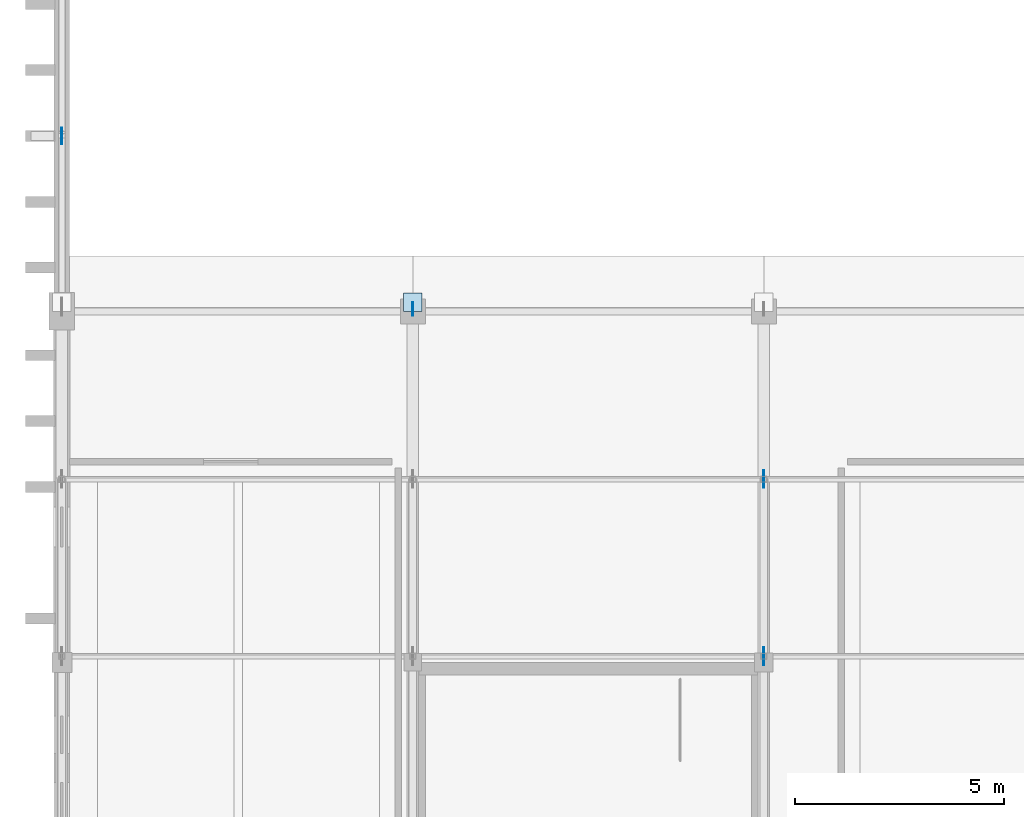
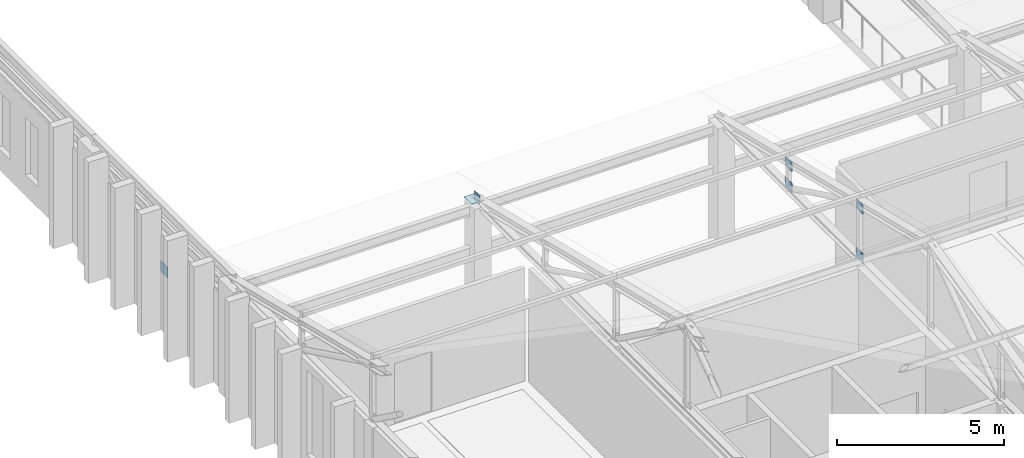
# One storey, part 133 of 192: 7 plates.
"""IFC4 building model written with IfcOpenShell, lengths in metres."""

import ifcopenshell
import ifcopenshell.guid

model = None  # the IFC model being written
_history = None  # IfcOwnerHistory: only IFC2X3 demands one
_inside = {}  # id of a spatial element -> (the spatial element, [elements in it])
_under = {}  # id of a project, library or spatial element -> (it, [spatial elements below it])
_declared = {}  # id of a project -> (the project, [libraries it declares])
_typed = {}  # id of a type object -> (the type object, [elements of that type])
_made_of = {}  # id of a material, layer set ... -> (it, [elements and type objects made of it])


def new_model(schema):
    """Start an empty IFC model of exactly this schema.

    Asked for "IFC4X3", IfcOpenShell would pick the latest addendum, in which some entities
    have other attributes; the version numbers below select the first issue.
    IFC2X3 requires an IfcOwnerHistory on every rooted entity: one is made here for all.
    """
    global model, _history
    if schema == "IFC4X3":
        model = ifcopenshell.file(schema_version=(4, 3, 0, 0))
    else:
        model = ifcopenshell.file(schema=schema)
    _inside.clear()
    _under.clear()
    _declared.clear()
    _typed.clear()
    _made_of.clear()
    _history = None
    if model.schema == "IFC2X3":
        org = make("IfcOrganization", Name="unknown")
        user = make(
            "IfcPersonAndOrganization",
            ThePerson=make("IfcPerson", FamilyName="unknown"),
            TheOrganization=org,
        )
        app = make(
            "IfcApplication",
            ApplicationDeveloper=org,
            Version="unknown",
            ApplicationFullName="unknown",
            ApplicationIdentifier="unknown",
        )
        _history = make(
            "IfcOwnerHistory",
            OwningUser=user,
            OwningApplication=app,
            ChangeAction="ADDED",
            CreationDate=0,
        )
    return model


def make(cls, **values):
    """One entity of the class cls with the attributes given. An attribute that is None is left unset."""
    return model.create_entity(
        cls, **{name: value for name, value in values.items() if value is not None}
    )


def rooted(cls, **values):
    """An entity with a GlobalId (a new one), such as an element, a storey or a relation."""
    return make(cls, GlobalId=ifcopenshell.guid.new(), OwnerHistory=_history, **values)


def si_unit(unit_type, name, prefix=None):
    """IfcSIUnit, for example si_unit("LENGTHUNIT", "METRE", prefix="MILLI")."""
    return make("IfcSIUnit", UnitType=unit_type, Prefix=prefix, Name=name)


def assignment(units):
    """IfcUnitAssignment: the units of a project."""
    return None if units is None else make("IfcUnitAssignment", Units=units)


def point(xyz):
    """IfcCartesianPoint."""
    return None if xyz is None else make("IfcCartesianPoint", Coordinates=xyz)


def direction(xyz):
    """IfcDirection."""
    return None if xyz is None else make("IfcDirection", DirectionRatios=xyz)


def frame(location, z_axis=None, x_axis=None):
    """IfcAxis2Placement3D, a coordinate frame: its origin and axes. An axis left out is left unset."""
    return make(
        "IfcAxis2Placement3D",
        Location=point(location),
        Axis=direction(z_axis),
        RefDirection=direction(x_axis),
    )


def frame_2d(location, x_axis=None):
    """IfcAxis2Placement2D, a coordinate frame in the plane: its origin and x axis."""
    return make(
        "IfcAxis2Placement2D", Location=point(location), RefDirection=direction(x_axis)
    )


def origin():
    """The frame at (0, 0, 0) with its axes left unset."""
    return frame((0.0, 0.0, 0.0))


def origin_2d():
    """The frame at (0, 0) in the plane with its x axis left unset."""
    return frame_2d((0.0, 0.0))


def place(relative_to, where):
    """IfcLocalPlacement: puts the frame where relative to a parent placement (None: the world)."""
    return make(
        "IfcLocalPlacement", PlacementRelTo=relative_to, RelativePlacement=where
    )


def context(
    kind, dimensions, precision=None, world=None, true_north=None, identifier=None
):
    """IfcGeometricRepresentationContext, for example the 3D "Model" context."""
    return make(
        "IfcGeometricRepresentationContext",
        ContextIdentifier=identifier,
        ContextType=kind,
        CoordinateSpaceDimension=dimensions,
        Precision=precision,
        WorldCoordinateSystem=world,
        TrueNorth=true_north,
    )


def subcontext(parent, identifier, kind, view, scale=None):
    """IfcGeometricRepresentationSubContext, for example "Body" below "Model"."""
    return make(
        "IfcGeometricRepresentationSubContext",
        ContextIdentifier=identifier,
        ContextType=kind,
        ParentContext=parent,
        TargetScale=scale,
        TargetView=view,
    )


def project(units=None, contexts=None):
    """IfcProject with its units and contexts."""
    return rooted(
        "IfcProject",
        Name="project",
        RepresentationContexts=contexts,
        UnitsInContext=assignment(units),
    )


def spatial(cls, under=None, at=None, **own):
    """A site, building, storey or space (cls), placed at a placement, below another one or the project."""
    s = rooted(cls, ObjectPlacement=at, **own)
    if under is not None:
        _under.setdefault(under.id(), (under, []))[1].append(s)
    return s


def profile(cls, at=None, kind="AREA", **sizes):
    """A parametric profile (cls). Its sizes go by their IFC names, for example OverallWidth=200.0."""
    return make(cls, ProfileType=kind, Position=at, **sizes)


def rectangle(**sizes):
    """IfcRectangleProfileDef."""
    return profile("IfcRectangleProfileDef", **sizes)


def extrude(swept, where, along, depth):
    """IfcExtrudedAreaSolid: the profile swept, set in the frame where, extruded along a direction by depth."""
    return make(
        "IfcExtrudedAreaSolid",
        SweptArea=swept,
        Position=where,
        ExtrudedDirection=direction(along),
        Depth=depth,
    )


def shape(context_of_items, identifier, shape_type, items):
    """IfcShapeRepresentation: the items that make up one representation, for example the "Body"."""
    return make(
        "IfcShapeRepresentation",
        ContextOfItems=context_of_items,
        RepresentationIdentifier=identifier,
        RepresentationType=shape_type,
        Items=items,
    )


def material(Name=None, Category=None):
    """IfcMaterial."""
    return make("IfcMaterial", Name=Name, Category=Category)


def layer(
    of_material, thickness, ventilated=None, Name=None, Category=None, Priority=None
):
    """IfcMaterialLayer: one layer of a wall or slab, of a material (None: an air gap)."""
    return make(
        "IfcMaterialLayer",
        Material=of_material,
        LayerThickness=thickness,
        IsVentilated=ventilated,
        Name=Name,
        Category=Category,
        Priority=Priority,
    )


def layer_set(layers, Name=None):
    """IfcMaterialLayerSet."""
    return make("IfcMaterialLayerSet", MaterialLayers=layers, LayerSetName=Name)


def made_of(thing, what):
    """Note that an element or type object is made of a material, layer set ...; save() writes the relation."""
    if what is not None:
        _made_of.setdefault(what.id(), (what, []))[1].append(thing)
    return thing


def type_object(cls, material=None, **own):
    """A type object (cls), such as IfcWallType, which elements share."""
    return made_of(rooted(cls, **own), material)


def element(
    cls,
    number,
    at=None,
    inside=None,
    cuts=None,
    type_object=None,
    material=None,
    context=None,
    identifier="Body",
    shape_type=None,
    held_by="IfcProductDefinitionShape",
    body=None,
    shapes=None,
    **own,
):
    """One element of the class cls, such as IfcWall. Its Tag is "e" and its number.

    at: its placement. inside: the storey or other place that contains it. cuts: it is an
    opening in that element (IfcRelVoidsElement). A single representation is given by context,
    identifier, shape_type and body (its items); several are given by shapes. held_by: the class
    of the entity that holds the representations. save() writes the other relations.
    """
    e = rooted(cls, Tag="e%d" % number, ObjectPlacement=at, **own)
    if body is not None:
        shapes = [shape(context, identifier, shape_type, body)]
    if shapes is not None:
        e.Representation = make(held_by, Representations=shapes)
    if inside is not None:
        _inside.setdefault(inside.id(), (inside, []))[1].append(e)
    if cuts is not None:
        rooted(
            "IfcRelVoidsElement", RelatingBuildingElement=cuts, RelatedOpeningElement=e
        )
    if type_object is not None:
        _typed.setdefault(type_object.id(), (type_object, []))[1].append(e)
    return made_of(e, material)


def aggregate(whole, parts):
    """IfcRelAggregates: a whole, such as a stair, and the parts it consists of."""
    return rooted("IfcRelAggregates", RelatingObject=whole, RelatedObjects=parts)


def save(model, path):
    """Write the relations noted so far, then the file.

    IfcRelAggregates (storeys below a building ...), IfcRelContainedInSpatialStructure (elements
    in a storey), IfcRelDefinesByType, IfcRelAssociatesMaterial and IfcRelDeclares: one each for
    every whole, place, type object, material and project.
    """
    for whole, parts in _under.values():
        aggregate(whole, parts)
    for where, things in _inside.values():
        rooted(
            "IfcRelContainedInSpatialStructure",
            RelatedElements=things,
            RelatingStructure=where,
        )
    for kind, things in _typed.values():
        rooted("IfcRelDefinesByType", RelatedObjects=things, RelatingType=kind)
    for what, things in _made_of.values():
        rooted("IfcRelAssociatesMaterial", RelatedObjects=things, RelatingMaterial=what)
    for by, libraries in _declared.values():
        rooted("IfcRelDeclares", RelatingContext=by, RelatedDefinitions=libraries)
    model.write(path)


model = new_model("IFC4")

# Units and contexts
model_context = context("Model", 3, precision=1e-05, world=origin(), true_north=direction((0.0, 1.0)))
body_context = subcontext(model_context, "Body", "Model", "MODEL_VIEW")
ifc_project = project(units=[si_unit("LENGTHUNIT", "METRE"), si_unit("AREAUNIT", "SQUARE_METRE"), si_unit("VOLUMEUNIT", "CUBIC_METRE"), si_unit("PLANEANGLEUNIT", "RADIAN"), si_unit("MASSUNIT", "GRAM", prefix="KILO")], contexts=[model_context])

# Site, building, storey
site_placement = place(None, origin())
site = spatial("IfcSite", under=ifc_project, at=site_placement, CompositionType="ELEMENT")
building_placement = place(site_placement, origin())
building = spatial("IfcBuilding", under=site, at=building_placement, Name="Kveldsbrygga Polytechnic", CompositionType="ELEMENT")
storey_placement = place(building_placement, frame((0.0, 0.0, 5.43994140625)))
storey = spatial("IfcBuildingStorey", under=building, at=storey_placement, Name="L01", CompositionType="ELEMENT", Elevation=5.43994140625)

# Plates
ifc_material = material(Name="Steel S355", Category="steel")
ifc_layer_1 = layer(ifc_material, 0.030029296875)
ifc_layer_set_1 = layer_set([ifc_layer_1], Name="Steel S355")
plate_type_1 = type_object("IfcPlateType", Name="CAP-BEAR-450", PredefinedType="SHEET", material=ifc_layer_set_1)
plate_1_placement = place(storey_placement, frame((8.39990234375, 25.419921875, 4.08984375), z_axis=(0.0, 0.0, 1.0), x_axis=(1.0, 0.0, 0.0)))
element("IfcPlate", 1, at=plate_1_placement, inside=storey, type_object=plate_type_1, Name="Truss Bearing Plate V5S-T02-B", PredefinedType="SHEET", context=body_context, shape_type="SweptSolid", body=[
    extrude(rectangle(XDim=0.449951171875, YDim=0.449951171875, at=origin_2d()), origin(), (0.0, 0.0, 1.0), 0.030029296875),
])
ifc_layer_2 = layer(ifc_material, 0.01806640625)
ifc_layer_set_2 = layer_set([ifc_layer_2], Name="Steel S355")
plate_type_2 = type_object("IfcPlateType", Name="GUS-BRACE-320", PredefinedType="SHEET", material=ifc_layer_set_2)
plate_2_placement = place(storey_placement, frame((8.39990234375, 25.260009765625, 4.080078125), z_axis=(0.0, 0.0, 1.0), x_axis=(1.0, 0.0, 0.0)))
element("IfcPlate", 2, at=plate_2_placement, inside=storey, type_object=plate_type_2, Name="Truss Eaves Node Gusset V5S-T02-EGP-B", PredefinedType="SHEET", context=body_context, shape_type="SweptSolid", body=[
    extrude(rectangle(XDim=0.01806640625, YDim=0.320068359375, at=origin_2d()), origin(), (0.0, 0.0, 1.0), 0.320068359375),
])
ifc_layer_3 = layer(ifc_material, 0.02001953125)
ifc_layer_set_3 = layer_set([ifc_layer_3], Name="Steel S355")
plate_type_3 = type_object("IfcPlateType", Name="GUS-LECT-420", PredefinedType="SHEET", material=ifc_layer_set_3)
for number, where, z_axis, x_axis, name in (
    (3, (16.800048828125, 16.94677734375, 5.861572265625), (0.0, 0.0, 1.0), (1.0, 0.0, 0.0), "Truss Gusset Plate V5S-T03-GP-4"),
    (4, (16.800048828125, 16.94677734375, 4.06494140625), (0.0, 0.0, 1.0), (1.0, 0.0, 0.0), "Truss Bottom-Chord Node Gusset V5S-T03-BGP-4"),
    (5, (16.800048828125, 21.183349609375, 4.828369140625), (0.0, 0.0, 1.0), (1.0, 0.0, 0.0), "Truss Gusset Plate V5S-T03-GP-5"),
    (6, (16.800048828125, 21.183349609375, 4.06494140625), (0.0, 0.0, 1.0), (1.0, 0.0, 0.0), "Truss Bottom-Chord Node Gusset V5S-T03-BGP-5"),
):
    element("IfcPlate", number, at=place(storey_placement, frame(where, z_axis=z_axis, x_axis=x_axis)), inside=storey, type_object=plate_type_3, Name=name, PredefinedType="SHEET", context=body_context, shape_type="SweptSolid", body=[
        extrude(rectangle(XDim=0.02001953125, YDim=0.419921875, at=origin_2d()), origin(), (0.0, 0.0, 1.0), 0.35009765625),
    ])
ifc_layer_4 = layer(ifc_material, 0.02001953125)
ifc_layer_set_4 = layer_set([ifc_layer_4], Name="Steel S355")
plate_type_4 = type_object("IfcPlateType", Name="GUS-XBRACE-400", PredefinedType="SHEET", material=ifc_layer_set_4)
plate_3_placement = place(storey_placement, frame((0.0, 29.39990234375, 1.860107421875), z_axis=(0.0, 0.0, 1.0), x_axis=(1.0, 0.0, 0.0)))
element("IfcPlate", 7, at=plate_3_placement, inside=storey, type_object=plate_type_4, Name="Portal X-Brace Crossing Gusset XGP-VBR-L01-W-3-C", PredefinedType="SHEET", context=body_context, shape_type="SweptSolid", body=[
    extrude(rectangle(XDim=0.02001953125, YDim=0.39990234375, at=origin_2d()), origin(), (0.0, 0.0, 1.0), 0.39990234375),
])

save(model, "model.ifc")
